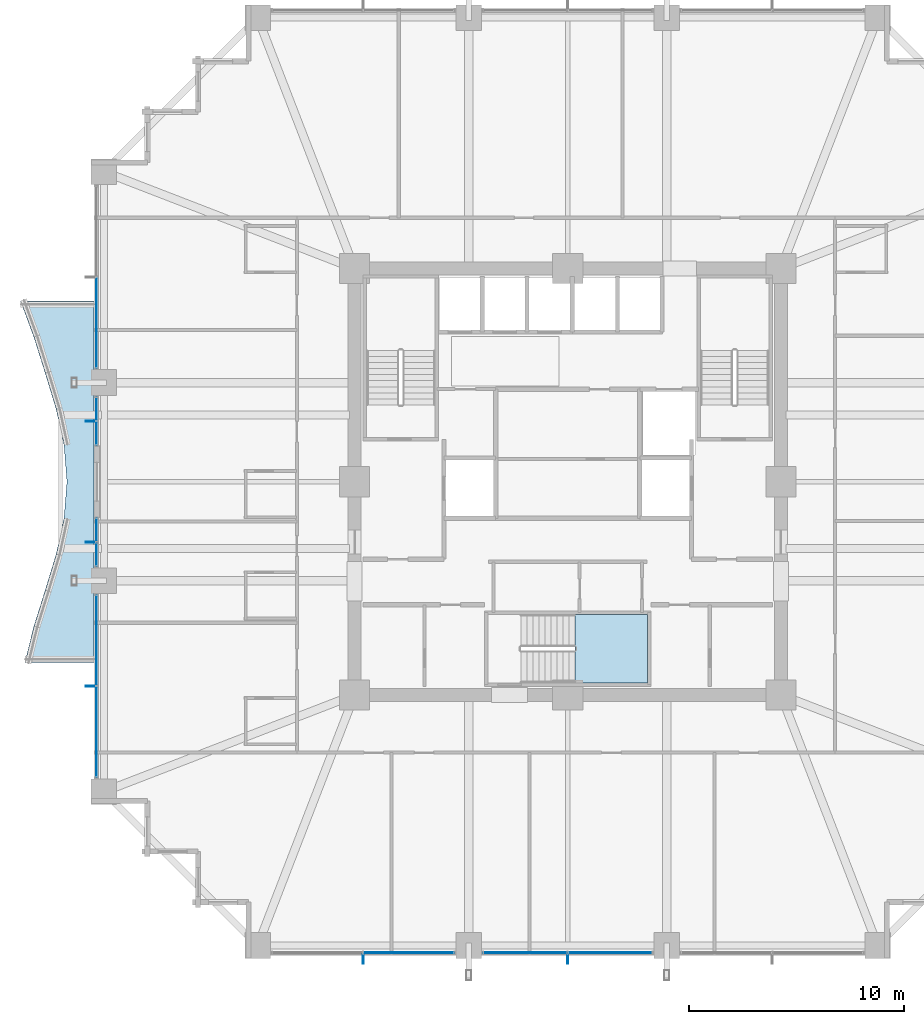
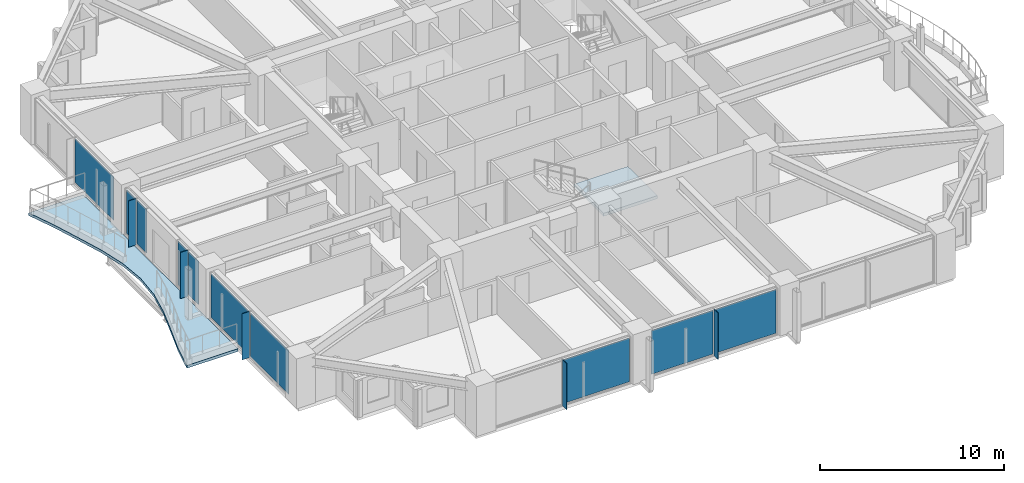
# One storey, part 26 of 36: 15 plates, 2 slabs, 7 elements without a shape of their own.
"""IFC4 building model written with IfcOpenShell, lengths in metres."""

from ifc_helpers import new_model, si_unit, direction, frame, origin, origin_2d, place, context, subcontext, project, spatial, polyline, rectangle, outline, extrude, material, layer, layer_set, type_object, element, aggregate, save


model = new_model("IFC4")

# Units and contexts
model_context = context("Model", 3, precision=1e-05, world=origin(), true_north=direction((0.0, 1.0)))
body_context = subcontext(model_context, "Body", "Model", "MODEL_VIEW")
ifc_project = project(units=[si_unit("LENGTHUNIT", "METRE"), si_unit("AREAUNIT", "SQUARE_METRE"), si_unit("VOLUMEUNIT", "CUBIC_METRE"), si_unit("PLANEANGLEUNIT", "RADIAN"), si_unit("MASSUNIT", "GRAM", prefix="KILO")], contexts=[model_context])

# Site, building, storey
site_placement = place(None, origin())
site = spatial("IfcSite", under=ifc_project, at=site_placement, CompositionType="ELEMENT")
building_placement = place(site_placement, origin())
building = spatial("IfcBuilding", under=site, at=building_placement, Name="Kolvaren Belvedere", CompositionType="ELEMENT")
storey_placement = place(building_placement, frame((0.0, 0.0, 46.89990234375)))
storey = spatial("IfcBuildingStorey", under=building, at=storey_placement, Name="L13", CompositionType="ELEMENT", Elevation=46.89990234375)

# Curtain wall, plates
ifc_material_1 = material(Name="Anodised pale-metal aluminium AA 6063-T6", Category="aluminium")
curtain_wall_type = type_object("IfcCurtainWallType", Name="CW-Z1-LOW", PredefinedType="NOTDEFINED", material=ifc_material_1)
curtain_wall_1_placement = place(storey_placement, origin())
curtain_wall_1 = element("IfcCurtainWall", 1, at=curtain_wall_1_placement, inside=storey, type_object=curtain_wall_type, Name="L13 Unitised Curtain Wall FCW-L13-S-B2", PredefinedType="NOTDEFINED")
ifc_material_2 = material(Name="Low-iron triple insulated glass", Category="glass")
ifc_layer_1 = layer(ifc_material_2, 0.028076171875)
ifc_layer_set_1 = layer_set([ifc_layer_1], Name="Low-iron triple insulated glass")
plate_type_1 = type_object("IfcPlateType", Name="CW-PNL-VIS28", PredefinedType="CURTAIN_PANEL", material=ifc_layer_set_1)
plate_1_placement = place(storey_placement, frame((1.972412109375, -21.8798828125, 0.080078125), z_axis=(0.0, 0.0, 1.0), x_axis=(-1.0, 0.0, 0.0)))
plate_1 = element("IfcPlate", 2, at=plate_1_placement, type_object=plate_type_1, Name="FCW-L13-S-B2 Vision Glazing Panel 1", PredefinedType="CURTAIN_PANEL", context=body_context, shape_type="SweptSolid", body=[
    extrude(rectangle(XDim=3.864990234375, YDim=0.028076171875, at=origin_2d()), origin(), (0.0, 0.0, 1.0), 2.89990234375),
])
plate_2_placement = place(storey_placement, frame((-1.972412109375, -21.8798828125, 0.080078125), z_axis=(0.0, 0.0, 1.0), x_axis=(-1.0, 0.0, 0.0)))
plate_2 = element("IfcPlate", 3, at=plate_2_placement, type_object=plate_type_1, Name="FCW-L13-S-B2 Vision Glazing Panel 2", PredefinedType="CURTAIN_PANEL", context=body_context, shape_type="SweptSolid", body=[
    extrude(rectangle(XDim=3.864990234375, YDim=0.028076171875, at=origin_2d()), origin(), (0.0, 0.0, 1.0), 2.89990234375),
])
aggregate(curtain_wall_1, [plate_1, plate_2])

# Curtain wall, plate
curtain_wall_2_placement = place(storey_placement, origin())
curtain_wall_2 = element("IfcCurtainWall", 4, at=curtain_wall_2_placement, inside=storey, type_object=curtain_wall_type, Name="L13 Unitised Curtain Wall FCW-L13-S-B3", PredefinedType="NOTDEFINED")
plate_3_placement = place(storey_placement, frame((-7.37744140625, -21.8798828125, 0.080078125), z_axis=(0.0, 0.0, 1.0), x_axis=(-1.0, 0.0, 0.0)))
plate_3 = element("IfcPlate", 5, at=plate_3_placement, type_object=plate_type_1, Name="FCW-L13-S-B3 Vision Glazing Panel 1", PredefinedType="CURTAIN_PANEL", context=body_context, shape_type="SweptSolid", body=[
    extrude(rectangle(XDim=4.1650390625, YDim=0.028076171875, at=origin_2d()), origin(), (0.0, 0.0, 1.0), 2.89990234375),
])
aggregate(curtain_wall_2, [plate_3])

# Curtain wall, plates
curtain_wall_3_placement = place(storey_placement, origin())
curtain_wall_3 = element("IfcCurtainWall", 6, at=curtain_wall_3_placement, inside=storey, type_object=curtain_wall_type, Name="L13 Unitised Curtain Wall FCW-L13-W1-B1", PredefinedType="NOTDEFINED")
plate_4_placement = place(storey_placement, frame((-21.8798828125, -11.62255859375, 0.080078125), z_axis=(0.0, 0.0, 1.0), x_axis=(0.0, 1.0, 0.0)))
plate_4 = element("IfcPlate", 7, at=plate_4_placement, type_object=plate_type_1, Name="FCW-L13-W1-B1 Vision Glazing Panel 1", PredefinedType="CURTAIN_PANEL", context=body_context, shape_type="SweptSolid", body=[
    extrude(rectangle(XDim=4.1650390625, YDim=0.028076171875, at=origin_2d()), origin(), (0.0, 0.0, 1.0), 2.89990234375),
])
plate_5_placement = place(storey_placement, frame((-21.8798828125, -7.37744140625, 0.080078125), z_axis=(0.0, 0.0, 1.0), x_axis=(0.0, 1.0, 0.0)))
plate_5 = element("IfcPlate", 8, at=plate_5_placement, type_object=plate_type_1, Name="FCW-L13-W1-B1 Vision Glazing Panel 2", PredefinedType="CURTAIN_PANEL", context=body_context, shape_type="SweptSolid", body=[
    extrude(rectangle(XDim=4.1650390625, YDim=0.028076171875, at=origin_2d()), origin(), (0.0, 0.0, 1.0), 2.89990234375),
])
aggregate(curtain_wall_3, [plate_4, plate_5])

curtain_wall_4_placement = place(storey_placement, origin())
curtain_wall_4 = element("IfcCurtainWall", 9, at=curtain_wall_4_placement, inside=storey, type_object=curtain_wall_type, Name="L13 Unitised Curtain Wall FCW-L13-W1-B2", PredefinedType="NOTDEFINED")
plate_6_placement = place(storey_placement, frame((-21.8798828125, -3.37890625, 0.080078125), z_axis=(0.0, 0.0, 1.0), x_axis=(0.0, 1.0, 0.0)))
plate_6 = element("IfcPlate", 10, at=plate_6_placement, type_object=plate_type_1, Name="FCW-L13-W1-B2 Vision Glazing Panel 1", PredefinedType="CURTAIN_PANEL", context=body_context, shape_type="SweptSolid", body=[
    extrude(rectangle(XDim=1.052490234375, YDim=0.028076171875, at=origin_2d()), origin(), (0.0, 0.0, 1.0), 2.89990234375),
])
plate_7_placement = place(storey_placement, frame((-21.8798828125, -2.24609375, 0.080078125), z_axis=(0.0, 0.0, 1.0), x_axis=(0.0, 1.0, 0.0)))
plate_7 = element("IfcPlate", 11, at=plate_7_placement, type_object=plate_type_1, Name="FCW-L13-W1-B2 Vision Glazing Panel 2", PredefinedType="CURTAIN_PANEL", context=body_context, shape_type="SweptSolid", body=[
    extrude(rectangle(XDim=1.052490234375, YDim=0.028076171875, at=origin_2d()), origin(), (0.0, 0.0, 1.0), 2.89990234375),
])
aggregate(curtain_wall_4, [plate_6, plate_7])

curtain_wall_5_placement = place(storey_placement, origin())
curtain_wall_5 = element("IfcCurtainWall", 12, at=curtain_wall_5_placement, inside=storey, type_object=curtain_wall_type, Name="L13 Unitised Curtain Wall FCW-L13-W2-B1", PredefinedType="NOTDEFINED")
plate_8_placement = place(storey_placement, frame((-21.8798828125, 2.24609375, 0.080078125), z_axis=(0.0, 0.0, 1.0), x_axis=(0.0, 1.0, 0.0)))
plate_8 = element("IfcPlate", 13, at=plate_8_placement, type_object=plate_type_1, Name="FCW-L13-W2-B1 Vision Glazing Panel 1", PredefinedType="CURTAIN_PANEL", context=body_context, shape_type="SweptSolid", body=[
    extrude(rectangle(XDim=1.052490234375, YDim=0.028076171875, at=origin_2d()), origin(), (0.0, 0.0, 1.0), 2.89990234375),
])
plate_9_placement = place(storey_placement, frame((-21.8798828125, 3.378662109375, 0.080078125), z_axis=(0.0, 0.0, 1.0), x_axis=(0.0, 1.0, 0.0)))
plate_9 = element("IfcPlate", 14, at=plate_9_placement, type_object=plate_type_1, Name="FCW-L13-W2-B1 Vision Glazing Panel 2", PredefinedType="CURTAIN_PANEL", context=body_context, shape_type="SweptSolid", body=[
    extrude(rectangle(XDim=1.052490234375, YDim=0.028076171875, at=origin_2d()), origin(), (0.0, 0.0, 1.0), 2.89990234375),
])
aggregate(curtain_wall_5, [plate_8, plate_9])

# Curtain wall, plate
curtain_wall_6_placement = place(storey_placement, origin())
curtain_wall_6 = element("IfcCurtainWall", 15, at=curtain_wall_6_placement, inside=storey, type_object=curtain_wall_type, Name="L13 Unitised Curtain Wall FCW-L13-W2-B2", PredefinedType="NOTDEFINED")
plate_10_placement = place(storey_placement, frame((-21.8798828125, 7.37744140625, 0.080078125), z_axis=(0.0, 0.0, 1.0), x_axis=(0.0, 1.0, 0.0)))
plate_10 = element("IfcPlate", 16, at=plate_10_placement, type_object=plate_type_1, Name="FCW-L13-W2-B2 Vision Glazing Panel 1", PredefinedType="CURTAIN_PANEL", context=body_context, shape_type="SweptSolid", body=[
    extrude(rectangle(XDim=4.1650390625, YDim=0.028076171875, at=origin_2d()), origin(), (0.0, 0.0, 1.0), 2.89990234375),
])
aggregate(curtain_wall_6, [plate_10])

# Plates
ifc_material_3 = material(Name="Anodised pale-metal aluminium AA 6063-T6", Category="aluminium")
ifc_layer_2 = layer(ifc_material_3, 0.0380859375)
ifc_layer_set_2 = layer_set([ifc_layer_2], Name="Anodised pale-metal aluminium AA 6063-T6")
plate_type_2 = type_object("IfcPlateType", Name="FIN-VERT-450", PredefinedType="USERDEFINED", material=ifc_layer_set_2)
for number, where, z_axis, x_axis, name in (
    (17, (0.0, -22.1650390625, 0.0), (0.0, 0.0, 1.0), (0.0, 1.0, 0.0), "L13 Pale-Metal Vertical Shading Fin FCW-L13-S-B2-1"),
    (18, (-9.5, -22.1650390625, 0.0), (0.0, 0.0, 1.0), (0.0, 1.0, 0.0), "L13 Pale-Metal Vertical Shading Fin FCW-L13-S-B3-1"),
    (19, (-22.1650390625, -9.5, 0.0), (0.0, 0.0, 1.0), (1.0, 0.0, 0.0), "L13 Pale-Metal Vertical Shading Fin FCW-L13-W1-B1-1"),
    (20, (-22.1650390625, -2.8125, 0.0), (0.0, 0.0, 1.0), (1.0, 0.0, 0.0), "L13 Pale-Metal Vertical Shading Fin FCW-L13-W1-B2-1"),
    (21, (-22.1650390625, 2.8125, 0.0), (0.0, 0.0, 1.0), (1.0, 0.0, 0.0), "L13 Pale-Metal Vertical Shading Fin FCW-L13-W2-B1-1"),
):
    element("IfcPlate", number, at=place(storey_placement, frame(where, z_axis=z_axis, x_axis=x_axis)), inside=storey, type_object=plate_type_2, Name=name, ObjectType="VERTICAL FIN", PredefinedType="USERDEFINED", context=body_context, shape_type="SweptSolid", body=[
        extrude(rectangle(XDim=0.449951171875, YDim=0.0380859375, at=origin_2d()), origin(), (0.0, 0.0, 1.0), 3.06005859375),
    ])

# Slab
ifc_material_4 = material(Name="Concrete C50/60", Category="concrete")
ifc_layer_3 = layer(ifc_material_4, 0.179931640625)
ifc_layer_set_3 = layer_set([ifc_layer_3], Name="Concrete C50/60")
slab_type_1 = type_object("IfcSlabType", Name="SL-BAL-180", PredefinedType="FLOOR", material=ifc_layer_set_3)
slab_1_placement = place(storey_placement, frame((0.0, 0.0, -0.239990234375)))
element("IfcSlab", 22, at=slab_1_placement, inside=storey, type_object=slab_type_1, Name="L13 Planted Balcony BAL-W", PredefinedType="FLOOR", context=body_context, shape_type="SweptSolid", body=[
    extrude(outline(polyline([(-25.419921875, 8.39990234375), (-24.7998046875, 6.719970703125), (-24.272216796875, 5.0400390625), (-23.76123046875, 3.360107421875), (-23.3935546875, 1.679931640625), (-23.260009765625, 0.0), (-23.3935546875, -1.679931640625), (-23.76123046875, -3.360107421875), (-24.272216796875, -5.0400390625), (-24.7998046875, -6.719970703125), (-25.213623046875, -8.39990234375), (-22.0, -8.39990234375), (-22.0, -6.719970703125), (-22.0, -5.0400390625), (-22.0, -3.360107421875), (-22.0, -1.679931640625), (-22.0, 0.0), (-22.0, 1.679931640625), (-22.0, 3.360107421875), (-22.0, 5.0400390625), (-22.0, 6.719970703125), (-22.0, 8.39990234375), (-25.419921875, 8.39990234375)])), origin(), (0.0, 0.0, 1.0), 0.18017578125),
])

# Stair, slab
ifc_material_5 = material(Name="Concrete C50/60", Category="concrete")
stair_type = type_object("IfcStairType", Name="ST-CORE-1520", PredefinedType="HALF_TURN_STAIR", material=ifc_material_5)
stair_placement = place(storey_placement, origin())
stair = element("IfcStair", 23, at=stair_placement, inside=storey, type_object=stair_type, Name="L13 Protected Exit Stair ST-3", PredefinedType="HALF_TURN_STAIR")
ifc_material_6 = material(Name="Concrete C50/60", Category="concrete")
ifc_layer_4 = layer(ifc_material_6, 0.260009765625)
ifc_layer_set_4 = layer_set([ifc_layer_4], Name="Concrete C50/60")
slab_type_2 = type_object("IfcSlabType", Name="SL-LAND-260", PredefinedType="LANDING", material=ifc_layer_set_4)
slab_2_placement = place(storey_placement, frame((0.0, 0.0, 1.4501953125)))
slab_2 = element("IfcSlab", 24, at=slab_2_placement, type_object=slab_type_2, Name="ST-3 landing 1", PredefinedType="LANDING", context=body_context, shape_type="SweptSolid", body=[
    extrude(outline(polyline([(0.340087890625, -9.35009765625), (3.699951171875, -9.35009765625), (3.699951171875, -6.159912109375), (0.340087890625, -6.159912109375), (0.340087890625, -9.35009765625)])), origin(), (0.0, 0.0, 1.0), 0.199951171875),
])
aggregate(stair, [slab_2])

save(model, "model.ifc")
